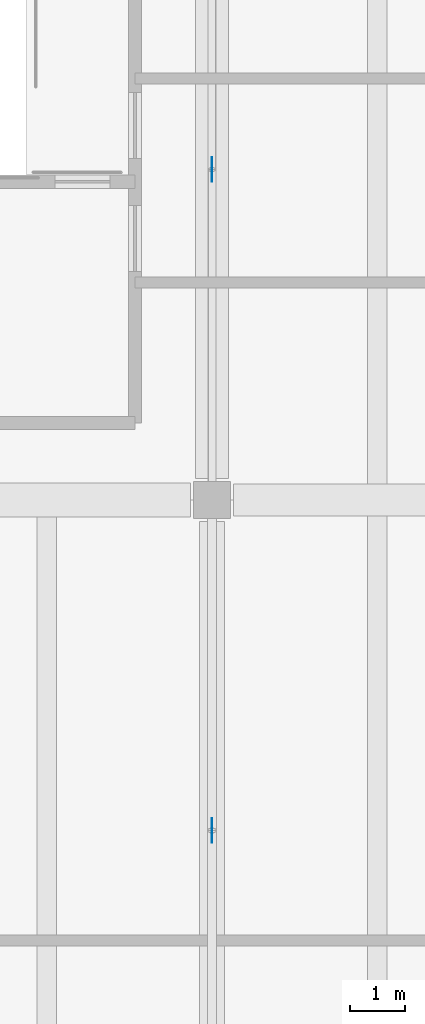
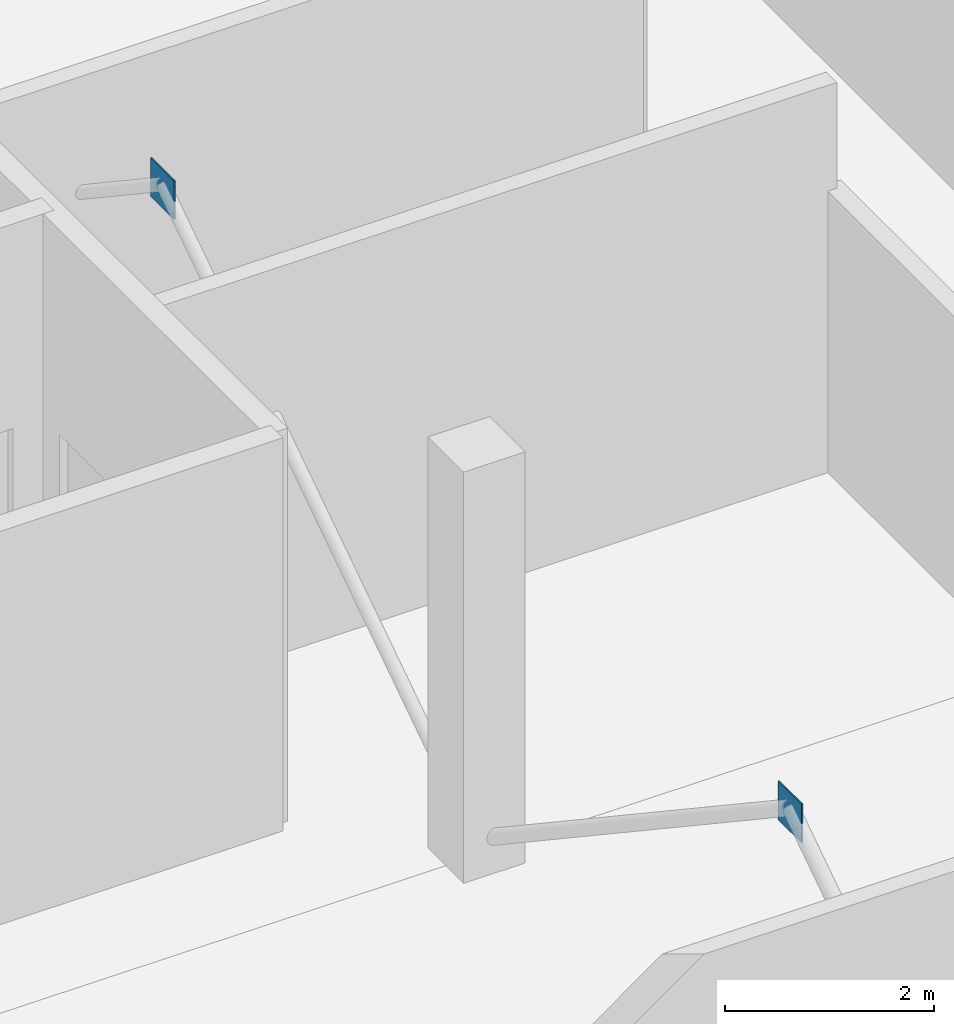
# One storey, part 35 of 49: 2 plates.
"""IFC4 building model written with IfcOpenShell, lengths in metres."""

from ifc_helpers import new_model, si_unit, direction, frame, origin, origin_2d, place, context, subcontext, project, spatial, rectangle, extrude, material, layer, layer_set, type_object, element, save


model = new_model("IFC4")

# Units and contexts
model_context = context("Model", 3, precision=1e-05, world=origin(), true_north=direction((0.0, 1.0)))
body_context = subcontext(model_context, "Body", "Model", "MODEL_VIEW")
ifc_project = project(units=[si_unit("LENGTHUNIT", "METRE"), si_unit("AREAUNIT", "SQUARE_METRE"), si_unit("VOLUMEUNIT", "CUBIC_METRE"), si_unit("PLANEANGLEUNIT", "RADIAN"), si_unit("MASSUNIT", "GRAM", prefix="KILO")], contexts=[model_context])

# Site, building, storey
site_placement = place(None, origin())
site = spatial("IfcSite", under=ifc_project, at=site_placement, CompositionType="ELEMENT")
building_placement = place(site_placement, origin())
building = spatial("IfcBuilding", under=site, at=building_placement, Name="Kamomehara Wholesale Market", CompositionType="ELEMENT")
storey_placement = place(building_placement, frame((0.0, 0.0, 11.39990234375)))
storey = spatial("IfcBuildingStorey", under=building, at=storey_placement, Name="L02", CompositionType="ELEMENT", Elevation=11.39990234375)

# Plates
ifc_material = material(Name="Steel SN490B", Category="steel")
ifc_layer = layer(ifc_material, 0.01611328125)
ifc_layer_set = layer_set([ifc_layer], Name="Steel SN490B")
plate_type = type_object("IfcPlateType", Name="PLT-GUS-16", PredefinedType="USERDEFINED", material=ifc_layer_set)
for number, where, z_axis, x_axis, name in (
    (1, (12.0, 114.0, 3.92529296875), (0.0, 0.0, 1.0), (1.0, 0.0, 0.0), "Chevron gusset plate V3 108"),
    (2, (12.0, 126.0, 3.92529296875), (0.0, 0.0, 1.0), (1.0, 0.0, 0.0), "Chevron gusset plate V3 120"),
):
    element("IfcPlate", number, at=place(storey_placement, frame(where, z_axis=z_axis, x_axis=x_axis)), inside=storey, type_object=plate_type, Name=name, ObjectType="GUSSET PLATE", PredefinedType="USERDEFINED", context=body_context, shape_type="SweptSolid", body=[
        extrude(rectangle(XDim=0.01611328125, YDim=0.449951171875, at=origin_2d()), origin(), (0.0, 0.0, 1.0), 0.449951171875),
    ])

save(model, "model.ifc")
